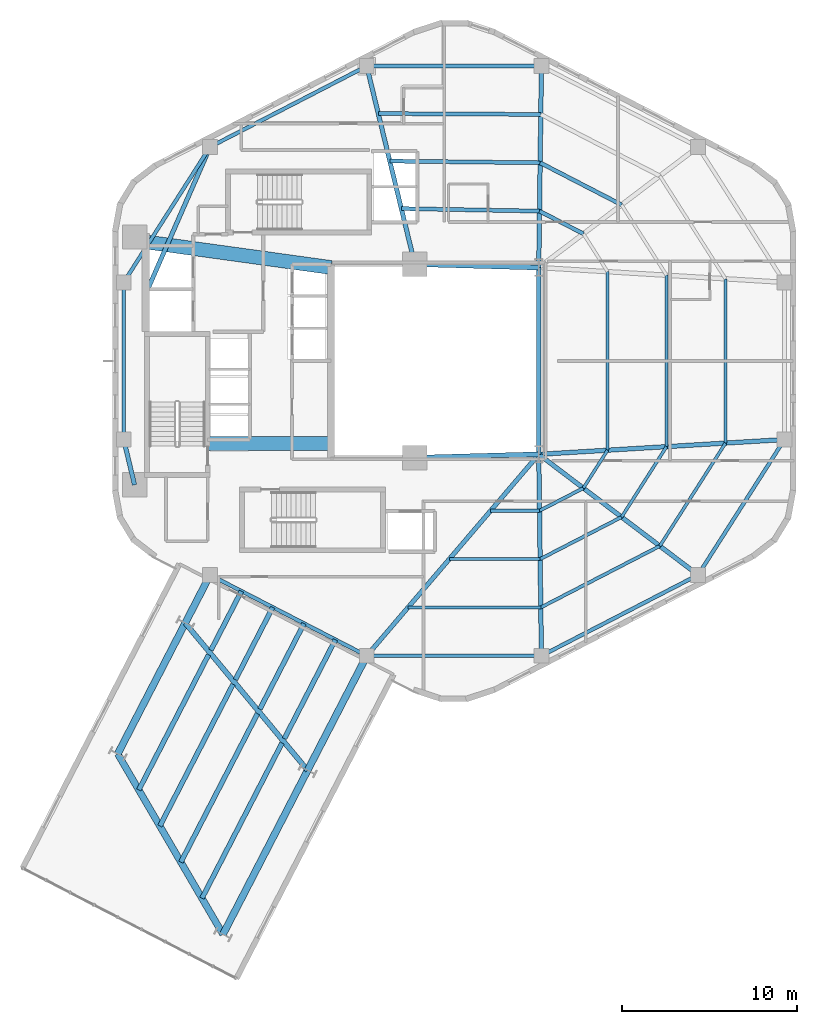
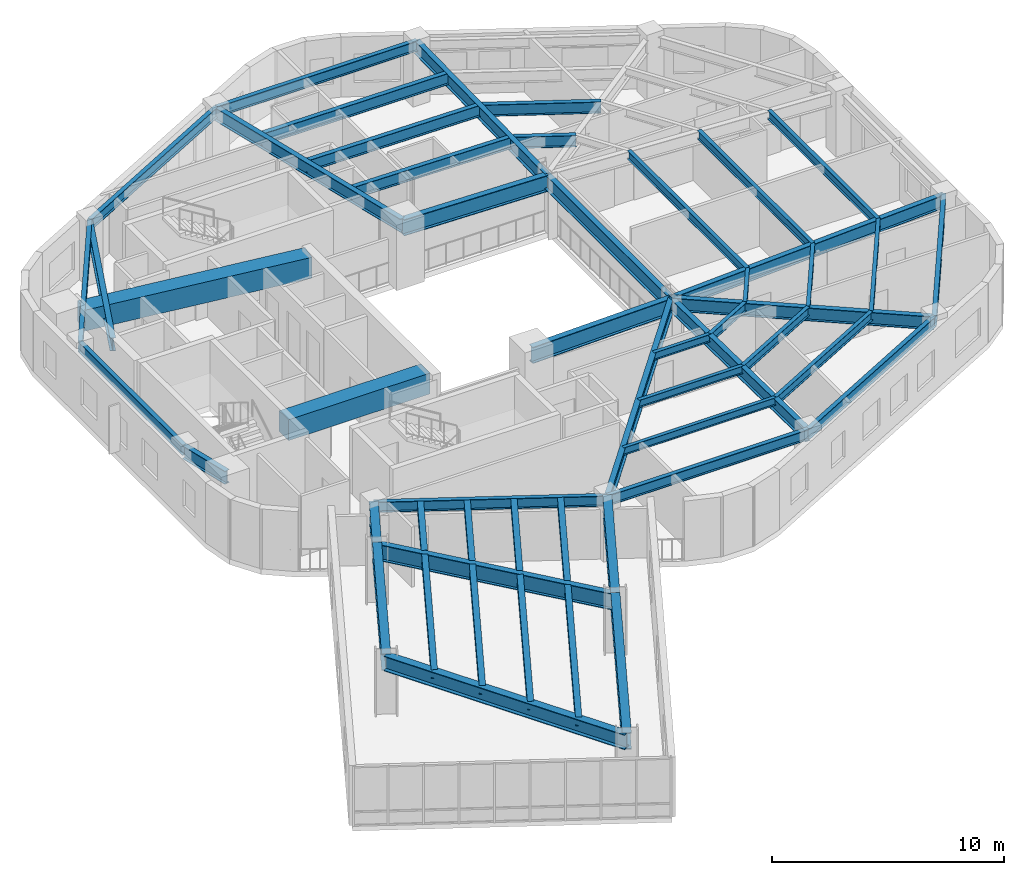
# One storey, part 3 of 9: 52 beams.
"""IFC4 building model written with IfcOpenShell, lengths in metres."""

from ifc_helpers import new_model, si_unit, direction, frame, origin, origin_2d, place, context, subcontext, project, spatial, rectangle, i_section, extrude, material, material_profile, profile_set, type_object, element, save


model = new_model("IFC4")

# Units and contexts
model_context = context("Model", 3, precision=1e-05, world=origin(), true_north=direction((0.0, 1.0)))
body_context = subcontext(model_context, "Body", "Model", "MODEL_VIEW")
ifc_project = project(units=[si_unit("LENGTHUNIT", "METRE"), si_unit("AREAUNIT", "SQUARE_METRE"), si_unit("VOLUMEUNIT", "CUBIC_METRE"), si_unit("PLANEANGLEUNIT", "RADIAN"), si_unit("MASSUNIT", "GRAM", prefix="KILO"), si_unit("THERMODYNAMICTEMPERATUREUNIT", "KELVIN"), si_unit("POWERUNIT", "WATT")], contexts=[model_context])

# Site, building, storey
site_placement = place(None, origin())
site = spatial("IfcSite", under=ifc_project, at=site_placement, CompositionType="ELEMENT")
building_placement = place(site_placement, origin())
building = spatial("IfcBuilding", under=site, at=building_placement, Name="Skarre Station Tower", CompositionType="ELEMENT")
storey_placement = place(building_placement, frame((0.0, 0.0, 177.449951171875)))
storey = spatial("IfcBuildingStorey", under=building, at=storey_placement, Name="L48", CompositionType="ELEMENT", Elevation=177.449951171875)

# Beams
ifc_material_1 = material(Name="Concrete C70/85", Category="concrete")
ifc_material_profile_1 = material_profile(ifc_material_1, rectangle(XDim=0.800048828125, YDim=1.10009765625, at=origin_2d()), Name="Concrete C70/85")
ifc_profile_set_1 = profile_set([ifc_material_profile_1], Name="Concrete C70/85")
beam_type_1 = type_object("IfcBeamType", Name="RC Core Coupling Lintel 800x1100", PredefinedType="LINTEL", material=ifc_profile_set_1)
beam_1_placement = place(storey_placement, frame((20.489990234375, 19.260009765625, 2.610107421875), z_axis=(1.0, 0.0, 0.0), x_axis=(0.0, 1.0, 0.0)))
element("IfcBeam", 1, at=beam_1_placement, inside=storey, type_object=beam_type_1, Name="L48 South Core Coupling Lintel", PredefinedType="LINTEL", context=body_context, shape_type="SweptSolid", body=[
    extrude(rectangle(XDim=0.800048828125, YDim=1.10009765625, at=origin_2d()), origin(), (0.0, 0.0, 1.0), 7.06005859375),
])
beam_2_placement = place(storey_placement, frame((17.050048828125, 30.800048828125, 2.610107421875), z_axis=(0.990599723633, -0.136792498109, 0.0), x_axis=(0.136792498109, 0.990599723633, 0.0)))
element("IfcBeam", 2, at=beam_2_placement, inside=storey, type_object=beam_type_1, Name="L48 North Core Coupling Lintel", PredefinedType="LINTEL", context=body_context, shape_type="SweptSolid", body=[
    extrude(rectangle(XDim=0.800048828125, YDim=1.10009765625, at=origin_2d()), origin(), (0.0, 0.0, 1.0), 10.599609375),
])
ifc_material_2 = material(Name="Steel ASTM A992 Grade 50", Category="steel")
ifc_material_profile_2 = material_profile(ifc_material_2, i_section(OverallWidth=0.256103515625, OverallDepth=0.693115234375, WebThickness=0.013916015625, FlangeThickness=0.02392578125, at=origin_2d()), Name="Steel ASTM A992 Grade 50")
ifc_profile_set_2 = profile_set([ifc_material_profile_2], Name="Steel ASTM A992 Grade 50")
beam_type_2 = type_object("IfcBeamType", Name="Steel Beam W27X114", PredefinedType="BEAM", material=ifc_profile_set_2)
beam_3_placement = place(storey_placement, frame((39.449951171875, 29.35009765625, 2.81396484375), z_axis=(0.013181528887, 0.999913119874, 0.0), x_axis=(-0.999913119874, 0.013181528887, 0.0)))
element("IfcBeam", 3, at=beam_3_placement, inside=storey, type_object=beam_type_2, Name="L48 Radial Floor Girder F0C2", PredefinedType="BEAM", context=body_context, shape_type="SweptSolid", body=[
    extrude(i_section(OverallWidth=0.256103515625, OverallDepth=0.693115234375, WebThickness=0.013916015625, FlangeThickness=0.02392578125, at=origin_2d()), origin(), (0.0, 0.0, 1.0), 11.538818359375),
])
beam_4_placement = place(storey_placement, frame((32.35009765625, 29.550048828125, 2.81396484375), z_axis=(-0.235892880832, 0.971779063765, 0.0), x_axis=(-0.971779063765, -0.235892880832, 0.0)))
element("IfcBeam", 4, at=beam_4_placement, inside=storey, type_object=beam_type_2, Name="L48 Radial Floor Girder F1C1", PredefinedType="BEAM", context=body_context, shape_type="SweptSolid", body=[
    extrude(i_section(OverallWidth=0.256103515625, OverallDepth=0.693115234375, WebThickness=0.013916015625, FlangeThickness=0.02392578125, at=origin_2d()), origin(), (0.0, 0.0, 1.0), 11.667236328125),
])
beam_5_placement = place(storey_placement, frame((17.010009765625, 28.0, 2.81396484375), z_axis=(0.401144174417, 0.916014929644, 0.0), x_axis=(-0.916014929644, 0.401144174417, 0.0)))
element("IfcBeam", 5, at=beam_5_placement, inside=storey, type_object=beam_type_2, Name="L48 Radial Floor Girder F1C2", PredefinedType="BEAM", context=body_context, shape_type="SweptSolid", body=[
    extrude(i_section(OverallWidth=0.256103515625, OverallDepth=0.693115234375, WebThickness=0.013916015625, FlangeThickness=0.02392578125, at=origin_2d()), origin(), (0.0, 0.0, 1.0), 9.01416015625),
])
beam_6_placement = place(storey_placement, frame((16.300048828125, 16.89990234375, 2.81396484375), z_axis=(-0.232764815072, 0.972533053867, 0.0), x_axis=(-0.972533053867, -0.232764815072, 0.0)))
element("IfcBeam", 6, at=beam_6_placement, inside=storey, type_object=beam_type_2, Name="L48 Radial Floor Girder F2C2", PredefinedType="BEAM", context=body_context, shape_type="SweptSolid", body=[
    extrude(i_section(OverallWidth=0.256103515625, OverallDepth=0.693115234375, WebThickness=0.013916015625, FlangeThickness=0.02392578125, at=origin_2d()), origin(), (0.0, 0.0, 1.0), 2.672607421875),
])
beam_7_placement = place(storey_placement, frame((39.449951171875, 18.64990234375, 2.81396484375), z_axis=(-0.649364312169, -0.760477475065, 0.0), x_axis=(0.760477475065, -0.649364312169, 0.0)))
element("IfcBeam", 7, at=beam_7_placement, inside=storey, type_object=beam_type_2, Name="L48 Radial Floor Girder F3C2", PredefinedType="BEAM", context=body_context, shape_type="SweptSolid", body=[
    extrude(i_section(OverallWidth=0.256103515625, OverallDepth=0.693115234375, WebThickness=0.013916015625, FlangeThickness=0.02392578125, at=origin_2d()), origin(), (0.0, 0.0, 1.0), 15.171875),
])
beam_8_placement = place(storey_placement, frame((39.449951171875, 18.64990234375, 2.81396484375), z_axis=(0.013181528887, -0.999913119874, 0.0), x_axis=(0.999913119874, 0.013181528887, 0.0)))
element("IfcBeam", 8, at=beam_8_placement, inside=storey, type_object=beam_type_2, Name="L48 Radial Floor Girder F4C1", PredefinedType="BEAM", context=body_context, shape_type="SweptSolid", body=[
    extrude(i_section(OverallWidth=0.256103515625, OverallDepth=0.693115234375, WebThickness=0.013916015625, FlangeThickness=0.02392578125, at=origin_2d()), origin(), (0.0, 0.0, 1.0), 11.538818359375),
])
beam_9_placement = place(storey_placement, frame((39.449951171875, 18.64990234375, 2.81396484375), z_axis=(0.797308988117, -0.603571352425, 0.0), x_axis=(0.603571352425, 0.797308988117, 0.0)))
element("IfcBeam", 9, at=beam_9_placement, inside=storey, type_object=beam_type_2, Name="L48 Radial Floor Girder F4C2", PredefinedType="BEAM", context=body_context, shape_type="SweptSolid", body=[
    extrude(i_section(OverallWidth=0.256103515625, OverallDepth=0.693115234375, WebThickness=0.013916015625, FlangeThickness=0.02392578125, at=origin_2d()), origin(), (0.0, 0.0, 1.0), 11.443603515625),
])
beam_10_placement = place(storey_placement, frame((39.449951171875, 18.64990234375, 2.81396484375), z_axis=(0.998184432941, 0.060231535207, 0.0), x_axis=(-0.060231535207, 0.998184432941, 0.0)))
element("IfcBeam", 10, at=beam_10_placement, inside=storey, type_object=beam_type_2, Name="L48 Radial Floor Girder F5C1", PredefinedType="BEAM", context=body_context, shape_type="SweptSolid", body=[
    extrude(i_section(OverallWidth=0.256103515625, OverallDepth=0.693115234375, WebThickness=0.013916015625, FlangeThickness=0.02392578125, at=origin_2d()), origin(), (0.0, 0.0, 1.0), 14.09765625),
])
ifc_material_profile_3 = material_profile(ifc_material_2, i_section(OverallWidth=0.26806640625, OverallDepth=0.77001953125, WebThickness=0.01611328125, FlangeThickness=0.02490234375, at=origin_2d()), Name="Steel ASTM A992 Grade 50")
ifc_profile_set_3 = profile_set([ifc_material_profile_3], Name="Steel ASTM A992 Grade 50")
beam_type_3 = type_object("IfcBeamType", Name="Steel Beam W30X132", PredefinedType="BEAM", material=ifc_profile_set_3)
beam_11_placement = place(storey_placement, frame((39.449951171875, 18.64990234375, 2.775146484375), z_axis=(0.0, 1.0, 0.0), x_axis=(-1.0, 0.0, 0.0)))
element("IfcBeam", 11, at=beam_11_placement, inside=storey, type_object=beam_type_3, Name="L48 Atrium East Edge Girder", PredefinedType="BEAM", context=body_context, shape_type="SweptSolid", body=[
    extrude(i_section(OverallWidth=0.26806640625, OverallDepth=0.77001953125, WebThickness=0.01611328125, FlangeThickness=0.02490234375, at=origin_2d()), origin(), (0.0, 0.0, 1.0), 10.7001953125),
])
ifc_material_profile_4 = material_profile(ifc_material_2, i_section(OverallWidth=0.2919921875, OverallDepth=0.85888671875, WebThickness=0.01708984375, FlangeThickness=0.031005859375, at=origin_2d()), Name="Steel ASTM A992 Grade 50")
ifc_profile_set_4 = profile_set([ifc_material_profile_4], Name="Steel ASTM A992 Grade 50")
beam_type_4 = type_object("IfcBeamType", Name="Steel Beam W33X169", PredefinedType="BEAM", material=ifc_profile_set_4)
for number, where, z_axis, x_axis, name in (
    (12, (32.35009765625, 18.449951171875, 2.73095703125), (0.999603666405, 0.028151556095, 0.0), (-0.028151556095, 0.999603666405, 0.0), "L48 Atrium South Edge Girder"),
    (13, (32.35009765625, 29.550048828125, 2.73095703125), (0.999603666405, -0.028151556095, 0.0), (0.028151556095, 0.999603666405, 0.0), "L48 Atrium North Edge Girder"),
):
    element("IfcBeam", number, at=place(storey_placement, frame(where, z_axis=z_axis, x_axis=x_axis)), inside=storey, type_object=beam_type_4, Name=name, PredefinedType="BEAM", context=body_context, shape_type="SweptSolid", body=[
        extrude(i_section(OverallWidth=0.2919921875, OverallDepth=0.85888671875, WebThickness=0.01708984375, FlangeThickness=0.031005859375, at=origin_2d()), origin(), (0.0, 0.0, 1.0), 7.102783203125),
    ])
beam_12_placement = place(storey_placement, frame((19.2041015625, 8.988037109375, 2.73095703125), z_axis=(0.639128306771, -0.769100128386, 0.0), x_axis=(0.769100128386, 0.639128306771, 0.0)))
element("IfcBeam", 14, at=beam_12_placement, inside=storey, type_object=beam_type_4, Name="L48 SB-4 Mid Transverse Girder", PredefinedType="BEAM", context=body_context, shape_type="SweptSolid", body=[
    extrude(i_section(OverallWidth=0.2919921875, OverallDepth=0.85888671875, WebThickness=0.01708984375, FlangeThickness=0.031005859375, at=origin_2d()), origin(), (0.0, 0.0, 1.0), 10.966064453125),
])
ifc_material_profile_5 = material_profile(ifc_material_2, i_section(OverallWidth=0.40087890625, OverallDepth=0.876953125, WebThickness=0.02197265625, FlangeThickness=0.0400390625, at=origin_2d()), Name="Steel ASTM A992 Grade 50")
ifc_profile_set_5 = profile_set([ifc_material_profile_5], Name="Steel ASTM A992 Grade 50")
beam_type_5 = type_object("IfcBeamType", Name="Steel Beam W33X263", PredefinedType="BEAM", material=ifc_profile_set_5)
beam_13_placement = place(storey_placement, frame((20.6259765625, 11.742919921875, 2.72216796875), z_axis=(-0.45864291977, -0.888620657055, 0.0), x_axis=(0.888620657055, -0.45864291977, 0.0)))
element("IfcBeam", 15, at=beam_13_placement, inside=storey, type_object=beam_type_5, Name="L48 SB-4 Side 1 Inner Girder", PredefinedType="BEAM", context=body_context, shape_type="SweptSolid", body=[
    extrude(i_section(OverallWidth=0.40087890625, OverallDepth=0.876953125, WebThickness=0.02197265625, FlangeThickness=0.0400390625, at=origin_2d()), origin(), (0.0, 0.0, 1.0), 3.10009765625),
])
beam_14_placement = place(storey_placement, frame((19.2041015625, 8.988037109375, 2.72216796875), z_axis=(-0.4586340671, -0.888625226119, 0.0), x_axis=(0.888625226119, -0.4586340671, 0.0)))
element("IfcBeam", 16, at=beam_14_placement, inside=storey, type_object=beam_type_5, Name="L48 SB-4 Side 1 Outer Girder", PredefinedType="BEAM", context=body_context, shape_type="SweptSolid", body=[
    extrude(i_section(OverallWidth=0.40087890625, OverallDepth=0.876953125, WebThickness=0.02197265625, FlangeThickness=0.0400390625, at=origin_2d()), origin(), (0.0, 0.0, 1.0), 8.429931640625),
])
beam_15_placement = place(storey_placement, frame((29.597900390625, 7.112060546875, 2.72216796875), z_axis=(-0.45866230048, -0.88861065384, 0.0), x_axis=(0.88861065384, -0.45866230048, 0.0)))
element("IfcBeam", 17, at=beam_15_placement, inside=storey, type_object=beam_type_5, Name="L48 SB-4 Side 2 Inner Girder", PredefinedType="BEAM", context=body_context, shape_type="SweptSolid", body=[
    extrude(i_section(OverallWidth=0.40087890625, OverallDepth=0.876953125, WebThickness=0.02197265625, FlangeThickness=0.0400390625, at=origin_2d()), origin(), (0.0, 0.0, 1.0), 7.380126953125),
])
beam_16_placement = place(storey_placement, frame((26.212890625, 0.553955078125, 2.72216796875), z_axis=(-0.458632918092, -0.88862581914, 0.0), x_axis=(0.88862581914, -0.458632918092, 0.0)))
element("IfcBeam", 18, at=beam_16_placement, inside=storey, type_object=beam_type_5, Name="L48 SB-4 Side 2 Outer Girder", PredefinedType="BEAM", context=body_context, shape_type="SweptSolid", body=[
    extrude(i_section(OverallWidth=0.40087890625, OverallDepth=0.876953125, WebThickness=0.02197265625, FlangeThickness=0.0400390625, at=origin_2d()), origin(), (0.0, 0.0, 1.0), 10.5703125),
])
ifc_material_profile_6 = material_profile(ifc_material_2, i_section(OverallWidth=0.177978515625, OverallDepth=0.403076171875, WebThickness=0.008056640625, FlangeThickness=0.010986328125, at=origin_2d()), Name="Steel ASTM A992 Grade 50")
ifc_profile_set_6 = profile_set([ifc_material_profile_6], Name="Steel ASTM A992 Grade 50")
beam_type_6 = type_object("IfcBeamType", Name="Steel Joist W16X36", PredefinedType="JOIST", material=ifc_profile_set_6)
beam_17_placement = place(storey_placement, frame((36.69091796875, 15.4189453125, 2.958984375), z_axis=(1.0, 0.0, 0.0), x_axis=(0.0, 1.0, 0.0)))
element("IfcBeam", 19, at=beam_17_placement, inside=storey, type_object=beam_type_6, Name="L48 Auxiliary Composite Joist 10", PredefinedType="JOIST", context=body_context, shape_type="SweptSolid", body=[
    extrude(i_section(OverallWidth=0.177978515625, OverallDepth=0.403076171875, WebThickness=0.008056640625, FlangeThickness=0.010986328125, at=origin_2d()), origin(), (0.0, 0.0, 1.0), 2.802001953125),
])
beam_18_placement = place(storey_placement, frame((34.326904296875, 12.64990234375, 2.958984375), z_axis=(1.0, 0.0, 0.0), x_axis=(0.0, 1.0, 0.0)))
element("IfcBeam", 20, at=beam_18_placement, inside=storey, type_object=beam_type_6, Name="L48 Auxiliary Composite Joist 11", PredefinedType="JOIST", context=body_context, shape_type="SweptSolid", body=[
    extrude(i_section(OverallWidth=0.177978515625, OverallDepth=0.403076171875, WebThickness=0.008056640625, FlangeThickness=0.010986328125, at=origin_2d()), origin(), (0.0, 0.0, 1.0), 5.2021484375),
])
beam_19_placement = place(storey_placement, frame((31.9619140625, 9.881103515625, 2.958984375), z_axis=(1.0, 0.0, 0.0), x_axis=(0.0, 1.0, 0.0)))
element("IfcBeam", 21, at=beam_19_placement, inside=storey, type_object=beam_type_6, Name="L48 Auxiliary Composite Joist 12", PredefinedType="JOIST", context=body_context, shape_type="SweptSolid", body=[
    extrude(i_section(OverallWidth=0.177978515625, OverallDepth=0.403076171875, WebThickness=0.008056640625, FlangeThickness=0.010986328125, at=origin_2d()), origin(), (0.0, 0.0, 1.0), 7.60400390625),
])
beam_20_placement = place(storey_placement, frame((42.0048828125, 16.716064453125, 2.958984375), z_axis=(0.537678636248, 0.843149858639, 0.0), x_axis=(-0.843149858639, 0.537678636248, 0.0)))
element("IfcBeam", 22, at=beam_20_placement, inside=storey, type_object=beam_type_6, Name="L48 Auxiliary Composite Joist 16", PredefinedType="JOIST", context=body_context, shape_type="SweptSolid", body=[
    extrude(i_section(OverallWidth=0.177978515625, OverallDepth=0.403076171875, WebThickness=0.008056640625, FlangeThickness=0.010986328125, at=origin_2d()), origin(), (0.0, 0.0, 1.0), 2.575927734375),
])
beam_21_placement = place(storey_placement, frame((44.194091796875, 15.05810546875, 2.958984375), z_axis=(0.53785259263, 0.843038901001, 0.0), x_axis=(-0.843038901001, 0.53785259263, 0.0)))
element("IfcBeam", 23, at=beam_21_placement, inside=storey, type_object=beam_type_6, Name="L48 Auxiliary Composite Joist 17", PredefinedType="JOIST", context=body_context, shape_type="SweptSolid", body=[
    extrude(i_section(OverallWidth=0.177978515625, OverallDepth=0.403076171875, WebThickness=0.008056640625, FlangeThickness=0.010986328125, at=origin_2d()), origin(), (0.0, 0.0, 1.0), 4.783935546875),
])
beam_22_placement = place(storey_placement, frame((46.384033203125, 13.40087890625, 2.958984375), z_axis=(0.537916675884, 0.842998012931, 0.0), x_axis=(-0.842998012931, 0.537916675884, 0.0)))
element("IfcBeam", 24, at=beam_22_placement, inside=storey, type_object=beam_type_6, Name="L48 Auxiliary Composite Joist 18", PredefinedType="JOIST", context=body_context, shape_type="SweptSolid", body=[
    extrude(i_section(OverallWidth=0.177978515625, OverallDepth=0.403076171875, WebThickness=0.008056640625, FlangeThickness=0.010986328125, at=origin_2d()), origin(), (0.0, 0.0, 1.0), 6.99169921875),
])
ifc_material_profile_7 = material_profile(ifc_material_2, i_section(OverallWidth=0.19091796875, OverallDepth=0.45703125, WebThickness=0.009033203125, FlangeThickness=0.013916015625, at=origin_2d()), Name="Steel ASTM A992 Grade 50")
ifc_profile_set_7 = profile_set([ifc_material_profile_7], Name="Steel ASTM A992 Grade 50")
beam_type_7 = type_object("IfcBeamType", Name="Steel Joist W18X50", PredefinedType="JOIST", material=ifc_profile_set_7)
beam_23_placement = place(storey_placement, frame((39.492919921875, 15.4189453125, 2.93212890625), z_axis=(0.888530947613, 0.458816690122, 0.0), x_axis=(-0.458816690122, 0.888530947613, 0.0)))
element("IfcBeam", 25, at=beam_23_placement, inside=storey, type_object=beam_type_7, Name="L48 Auxiliary Composite Joist 13", PredefinedType="JOIST", context=body_context, shape_type="SweptSolid", body=[
    extrude(i_section(OverallWidth=0.19091796875, OverallDepth=0.45703125, WebThickness=0.009033203125, FlangeThickness=0.013916015625, at=origin_2d()), origin(), (0.0, 0.0, 1.0), 2.8271484375),
])
beam_24_placement = place(storey_placement, frame((39.529052734375, 12.64990234375, 2.93212890625), z_axis=(0.888586417093, 0.458709253622, 0.0), x_axis=(-0.458709253622, 0.888586417093, 0.0)))
element("IfcBeam", 26, at=beam_24_placement, inside=storey, type_object=beam_type_7, Name="L48 Auxiliary Composite Joist 14", PredefinedType="JOIST", context=body_context, shape_type="SweptSolid", body=[
    extrude(i_section(OverallWidth=0.19091796875, OverallDepth=0.45703125, WebThickness=0.009033203125, FlangeThickness=0.013916015625, at=origin_2d()), origin(), (0.0, 0.0, 1.0), 5.25),
])
beam_25_placement = place(storey_placement, frame((39.56591796875, 9.881103515625, 2.93212890625), z_axis=(0.888580913917, 0.458719913916, 0.0), x_axis=(-0.458719913916, 0.888580913917, 0.0)))
element("IfcBeam", 27, at=beam_25_placement, inside=storey, type_object=beam_type_7, Name="L48 Auxiliary Composite Joist 15", PredefinedType="JOIST", context=body_context, shape_type="SweptSolid", body=[
    extrude(i_section(OverallWidth=0.19091796875, OverallDepth=0.45703125, WebThickness=0.009033203125, FlangeThickness=0.013916015625, at=origin_2d()), origin(), (0.0, 0.0, 1.0), 7.673095703125),
])
beam_26_placement = place(storey_placement, frame((43.389892578125, 18.887939453125, 2.93212890625), z_axis=(0.0, 1.0, 0.0), x_axis=(-1.0, 0.0, 0.0)))
element("IfcBeam", 28, at=beam_26_placement, inside=storey, type_object=beam_type_7, Name="L48 Auxiliary Composite Joist 19", PredefinedType="JOIST", context=body_context, shape_type="SweptSolid", body=[
    extrude(i_section(OverallWidth=0.19091796875, OverallDepth=0.45703125, WebThickness=0.009033203125, FlangeThickness=0.013916015625, at=origin_2d()), origin(), (0.0, 0.0, 1.0), 10.22412109375),
])
beam_27_placement = place(storey_placement, frame((46.76708984375, 19.091064453125, 2.93212890625), z_axis=(0.0, 1.0, 0.0), x_axis=(-1.0, 0.0, 0.0)))
element("IfcBeam", 29, at=beam_27_placement, inside=storey, type_object=beam_type_7, Name="L48 Auxiliary Composite Joist 20", PredefinedType="JOIST", context=body_context, shape_type="SweptSolid", body=[
    extrude(i_section(OverallWidth=0.19091796875, OverallDepth=0.45703125, WebThickness=0.009033203125, FlangeThickness=0.013916015625, at=origin_2d()), origin(), (0.0, 0.0, 1.0), 9.81787109375),
])
beam_28_placement = place(storey_placement, frame((50.14501953125, 19.294921875, 2.93212890625), z_axis=(0.0, 1.0, 0.0), x_axis=(-1.0, 0.0, 0.0)))
element("IfcBeam", 30, at=beam_28_placement, inside=storey, type_object=beam_type_7, Name="L48 Auxiliary Composite Joist 21", PredefinedType="JOIST", context=body_context, shape_type="SweptSolid", body=[
    extrude(i_section(OverallWidth=0.19091796875, OverallDepth=0.45703125, WebThickness=0.009033203125, FlangeThickness=0.013916015625, at=origin_2d()), origin(), (0.0, 0.0, 1.0), 9.41015625),
])
ifc_material_profile_8 = material_profile(ifc_material_2, i_section(OverallWidth=0.280029296875, OverallDepth=0.462890625, WebThickness=0.010986328125, FlangeThickness=0.01708984375, at=origin_2d()), Name="Steel ASTM A992 Grade 50")
ifc_profile_set_8 = profile_set([ifc_material_profile_8], Name="Steel ASTM A992 Grade 50")
beam_type_8 = type_object("IfcBeamType", Name="Steel Joist W18X76", PredefinedType="JOIST", material=ifc_profile_set_8)
beam_29_placement = place(storey_placement, frame((22.419921875, 10.81689453125, 2.928955078125), z_axis=(-0.45847488749, -0.888707363276, 0.0), x_axis=(0.888707363276, -0.45847488749, 0.0)))
element("IfcBeam", 31, at=beam_29_placement, inside=storey, type_object=beam_type_8, Name="L48 SB-4 Inner Deck Joist 1", PredefinedType="JOIST", context=body_context, shape_type="SweptSolid", body=[
    extrude(i_section(OverallWidth=0.280029296875, OverallDepth=0.462890625, WebThickness=0.010986328125, FlangeThickness=0.01708984375, at=origin_2d()), origin(), (0.0, 0.0, 1.0), 3.812255859375),
])
beam_30_placement = place(storey_placement, frame((20.5400390625, 7.173095703125, 2.928955078125), z_axis=(-0.458697157585, -0.888592661248, 0.0), x_axis=(0.888592661248, -0.458697157585, 0.0)))
element("IfcBeam", 32, at=beam_30_placement, inside=storey, type_object=beam_type_8, Name="L48 SB-4 Outer Deck Joist 1", PredefinedType="JOIST", context=body_context, shape_type="SweptSolid", body=[
    extrude(i_section(OverallWidth=0.280029296875, OverallDepth=0.462890625, WebThickness=0.010986328125, FlangeThickness=0.01708984375, at=origin_2d()), origin(), (0.0, 0.0, 1.0), 8.7138671875),
])
beam_31_placement = place(storey_placement, frame((24.215087890625, 9.89111328125, 2.928955078125), z_axis=(-0.458576321714, -0.888655027085, 0.0), x_axis=(0.888655027085, -0.458576321714, 0.0)))
element("IfcBeam", 33, at=beam_31_placement, inside=storey, type_object=beam_type_8, Name="L48 SB-4 Inner Deck Joist 2", PredefinedType="JOIST", context=body_context, shape_type="SweptSolid", body=[
    extrude(i_section(OverallWidth=0.280029296875, OverallDepth=0.462890625, WebThickness=0.010986328125, FlangeThickness=0.01708984375, at=origin_2d()), origin(), (0.0, 0.0, 1.0), 4.6689453125),
])
beam_32_placement = place(storey_placement, frame((21.94189453125, 5.486083984375, 2.928955078125), z_axis=(-0.458671492195, -0.888605909415, 0.0), x_axis=(0.888605909415, -0.458671492195, 0.0)))
element("IfcBeam", 34, at=beam_32_placement, inside=storey, type_object=beam_type_8, Name="L48 SB-4 Outer Deck Joist 2", PredefinedType="JOIST", context=body_context, shape_type="SweptSolid", body=[
    extrude(i_section(OverallWidth=0.280029296875, OverallDepth=0.462890625, WebThickness=0.010986328125, FlangeThickness=0.01708984375, at=origin_2d()), origin(), (0.0, 0.0, 1.0), 9.141357421875),
])
beam_33_placement = place(storey_placement, frame((26.009033203125, 8.964111328125, 2.928955078125), z_axis=(-0.458738614442, -0.888571259731, 0.0), x_axis=(0.888571259731, -0.458738614442, 0.0)))
element("IfcBeam", 35, at=beam_33_placement, inside=storey, type_object=beam_type_8, Name="L48 SB-4 Inner Deck Joist 3", PredefinedType="JOIST", context=body_context, shape_type="SweptSolid", body=[
    extrude(i_section(OverallWidth=0.280029296875, OverallDepth=0.462890625, WebThickness=0.010986328125, FlangeThickness=0.01708984375, at=origin_2d()), origin(), (0.0, 0.0, 1.0), 5.523681640625),
])
beam_34_placement = place(storey_placement, frame((23.343017578125, 3.800048828125, 2.928955078125), z_axis=(-0.458574691889, -0.888655868128, 0.0), x_axis=(0.888655868128, -0.458574691889, 0.0)))
element("IfcBeam", 36, at=beam_34_placement, inside=storey, type_object=beam_type_8, Name="L48 SB-4 Outer Deck Joist 3", PredefinedType="JOIST", context=body_context, shape_type="SweptSolid", body=[
    extrude(i_section(OverallWidth=0.280029296875, OverallDepth=0.462890625, WebThickness=0.010986328125, FlangeThickness=0.01708984375, at=origin_2d()), origin(), (0.0, 0.0, 1.0), 9.57080078125),
])
beam_35_placement = place(storey_placement, frame((27.803955078125, 8.0380859375, 2.928955078125), z_axis=(-0.458762805184, -0.88855877047, 0.0), x_axis=(0.88855877047, -0.458762805184, 0.0)))
element("IfcBeam", 37, at=beam_35_placement, inside=storey, type_object=beam_type_8, Name="L48 SB-4 Inner Deck Joist 4", PredefinedType="JOIST", context=body_context, shape_type="SweptSolid", body=[
    extrude(i_section(OverallWidth=0.280029296875, OverallDepth=0.462890625, WebThickness=0.010986328125, FlangeThickness=0.01708984375, at=origin_2d()), origin(), (0.0, 0.0, 1.0), 6.380126953125),
])
beam_36_placement = place(storey_placement, frame((24.7451171875, 2.113037109375, 2.928955078125), z_axis=(-0.458595026057, -0.888645374756, 0.0), x_axis=(0.888645374756, -0.458595026057, 0.0)))
element("IfcBeam", 38, at=beam_36_placement, inside=storey, type_object=beam_type_8, Name="L48 SB-4 Outer Deck Joist 4", PredefinedType="JOIST", context=body_context, shape_type="SweptSolid", body=[
    extrude(i_section(OverallWidth=0.280029296875, OverallDepth=0.462890625, WebThickness=0.010986328125, FlangeThickness=0.01708984375, at=origin_2d()), origin(), (0.0, 0.0, 1.0), 9.998291015625),
])
ifc_material_profile_9 = material_profile(ifc_material_2, i_section(OverallWidth=0.22802734375, OverallDepth=0.60791015625, WebThickness=0.010986328125, FlangeThickness=0.01708984375, at=origin_2d()), Name="Steel ASTM A992 Grade 50")
ifc_profile_set_9 = profile_set([ifc_material_profile_9], Name="Steel ASTM A992 Grade 50")
beam_type_9 = type_object("IfcBeamType", Name="Steel Joist W24X76", PredefinedType="JOIST", material=ifc_profile_set_9)
beam_37_placement = place(storey_placement, frame((42.0048828125, 31.283935546875, 2.85595703125), z_axis=(-0.888530947613, 0.458816690122, 0.0), x_axis=(-0.458816690122, -0.888530947613, 0.0)))
element("IfcBeam", 39, at=beam_37_placement, inside=storey, type_object=beam_type_9, Name="L48 Secondary Floor Joist 1", PredefinedType="JOIST", context=body_context, shape_type="SweptSolid", body=[
    extrude(i_section(OverallWidth=0.22802734375, OverallDepth=0.60791015625, WebThickness=0.010986328125, FlangeThickness=0.01708984375, at=origin_2d()), origin(), (0.0, 0.0, 1.0), 2.8271484375),
])
beam_38_placement = place(storey_placement, frame((44.194091796875, 32.94189453125, 2.85595703125), z_axis=(-0.888586417093, 0.458709253622, 0.0), x_axis=(-0.458709253622, -0.888586417093, 0.0)))
element("IfcBeam", 40, at=beam_38_placement, inside=storey, type_object=beam_type_9, Name="L48 Secondary Floor Joist 2", PredefinedType="JOIST", context=body_context, shape_type="SweptSolid", body=[
    extrude(i_section(OverallWidth=0.22802734375, OverallDepth=0.60791015625, WebThickness=0.010986328125, FlangeThickness=0.01708984375, at=origin_2d()), origin(), (0.0, 0.0, 1.0), 5.25),
])
beam_39_placement = place(storey_placement, frame((39.492919921875, 32.5810546875, 2.85595703125), z_axis=(-0.999834394757, 0.01819843569, 0.0), x_axis=(-0.01819843569, -0.999834394757, 0.0)))
element("IfcBeam", 41, at=beam_39_placement, inside=storey, type_object=beam_type_9, Name="L48 Secondary Floor Joist 4", PredefinedType="JOIST", context=body_context, shape_type="SweptSolid", body=[
    extrude(i_section(OverallWidth=0.22802734375, OverallDepth=0.60791015625, WebThickness=0.010986328125, FlangeThickness=0.01708984375, at=origin_2d()), origin(), (0.0, 0.0, 1.0), 7.9150390625),
])
beam_40_placement = place(storey_placement, frame((39.529052734375, 35.35009765625, 2.85595703125), z_axis=(-0.999937916295, 0.011142870137, 0.0), x_axis=(-0.011142870137, -0.999937916295, 0.0)))
element("IfcBeam", 42, at=beam_40_placement, inside=storey, type_object=beam_type_9, Name="L48 Secondary Floor Joist 5", PredefinedType="JOIST", context=body_context, shape_type="SweptSolid", body=[
    extrude(i_section(OverallWidth=0.22802734375, OverallDepth=0.60791015625, WebThickness=0.010986328125, FlangeThickness=0.01708984375, at=origin_2d()), origin(), (0.0, 0.0, 1.0), 8.610595703125),
])
beam_41_placement = place(storey_placement, frame((39.56591796875, 38.118896484375, 2.85595703125), z_axis=(-0.999986650222, 0.005167144134, 0.0), x_axis=(-0.005167144134, -0.999986650222, 0.0)))
element("IfcBeam", 43, at=beam_41_placement, inside=storey, type_object=beam_type_9, Name="L48 Secondary Floor Joist 6", PredefinedType="JOIST", context=body_context, shape_type="SweptSolid", body=[
    extrude(i_section(OverallWidth=0.22802734375, OverallDepth=0.60791015625, WebThickness=0.010986328125, FlangeThickness=0.01708984375, at=origin_2d()), origin(), (0.0, 0.0, 1.0), 9.30810546875),
])
ifc_material_profile_10 = material_profile(ifc_material_2, i_section(OverallWidth=0.214111328125, OverallDepth=0.549072265625, WebThickness=0.014892578125, FlangeThickness=0.02392578125, at=origin_2d()), Name="Steel ASTM A992 Grade 50")
ifc_profile_set_10 = profile_set([ifc_material_profile_10], Name="Steel ASTM A992 Grade 50")
beam_type_10 = type_object("IfcBeamType", Name="Steel Spandrel W21X93", PredefinedType="SPANDREL", material=ifc_profile_set_10)
beam_42_placement = place(storey_placement, frame((39.60205078125, 40.887939453125, 2.885986328125), z_axis=(-1.0, 0.0, 0.0), x_axis=(0.0, -1.0, 0.0)))
element("IfcBeam", 44, at=beam_42_placement, inside=storey, type_object=beam_type_10, Name="L48 Facet Spandrel Beam 2", PredefinedType="SPANDREL", context=body_context, shape_type="SweptSolid", body=[
    extrude(i_section(OverallWidth=0.214111328125, OverallDepth=0.549072265625, WebThickness=0.014892578125, FlangeThickness=0.02392578125, at=origin_2d()), origin(), (0.0, 0.0, 1.0), 10.004150390625),
])
beam_43_placement = place(storey_placement, frame((29.597900390625, 40.887939453125, 2.885986328125), z_axis=(-0.888613027226, -0.458657702262, 0.0), x_axis=(0.458657702262, -0.888613027226, 0.0)))
element("IfcBeam", 45, at=beam_43_placement, inside=storey, type_object=beam_type_10, Name="L48 Facet Spandrel Beam 3", PredefinedType="SPANDREL", context=body_context, shape_type="SweptSolid", body=[
    extrude(i_section(OverallWidth=0.214111328125, OverallDepth=0.549072265625, WebThickness=0.014892578125, FlangeThickness=0.02392578125, at=origin_2d()), origin(), (0.0, 0.0, 1.0), 10.096435546875),
])
beam_44_placement = place(storey_placement, frame((20.6259765625, 36.257080078125, 2.885986328125), z_axis=(-0.537826426158, -0.843055594445, 0.0), x_axis=(0.843055594445, -0.537826426158, 0.0)))
element("IfcBeam", 46, at=beam_44_placement, inside=storey, type_object=beam_type_10, Name="L48 Facet Spandrel Beam 4", PredefinedType="SPANDREL", context=body_context, shape_type="SweptSolid", body=[
    extrude(i_section(OverallWidth=0.214111328125, OverallDepth=0.549072265625, WebThickness=0.014892578125, FlangeThickness=0.02392578125, at=origin_2d()), origin(), (0.0, 0.0, 1.0), 9.199951171875),
])
beam_45_placement = place(storey_placement, frame((15.677978515625, 28.5009765625, 2.885986328125), z_axis=(0.0, -1.0, 0.0), x_axis=(1.0, 0.0, 0.0)))
element("IfcBeam", 47, at=beam_45_placement, inside=storey, type_object=beam_type_10, Name="L48 Facet Spandrel Beam 5", PredefinedType="SPANDREL", context=body_context, shape_type="SweptSolid", body=[
    extrude(i_section(OverallWidth=0.214111328125, OverallDepth=0.549072265625, WebThickness=0.014892578125, FlangeThickness=0.02392578125, at=origin_2d()), origin(), (0.0, 0.0, 1.0), 9.001953125),
])
beam_46_placement = place(storey_placement, frame((20.6259765625, 11.742919921875, 2.885986328125), z_axis=(0.888613027226, -0.458657702262, 0.0), x_axis=(0.458657702262, 0.888613027226, 0.0)))
element("IfcBeam", 48, at=beam_46_placement, inside=storey, type_object=beam_type_10, Name="L48 Facet Spandrel Beam 7", PredefinedType="SPANDREL", context=body_context, shape_type="SweptSolid", body=[
    extrude(i_section(OverallWidth=0.214111328125, OverallDepth=0.549072265625, WebThickness=0.014892578125, FlangeThickness=0.02392578125, at=origin_2d()), origin(), (0.0, 0.0, 1.0), 10.096435546875),
])
beam_47_placement = place(storey_placement, frame((29.597900390625, 7.112060546875, 2.885986328125), z_axis=(1.0, 0.0, 0.0), x_axis=(0.0, 1.0, 0.0)))
element("IfcBeam", 49, at=beam_47_placement, inside=storey, type_object=beam_type_10, Name="L48 Facet Spandrel Beam 8", PredefinedType="SPANDREL", context=body_context, shape_type="SweptSolid", body=[
    extrude(i_section(OverallWidth=0.214111328125, OverallDepth=0.549072265625, WebThickness=0.014892578125, FlangeThickness=0.02392578125, at=origin_2d()), origin(), (0.0, 0.0, 1.0), 10.004150390625),
])
beam_48_placement = place(storey_placement, frame((39.60205078125, 7.112060546875, 2.885986328125), z_axis=(0.888613027226, 0.458657702262, 0.0), x_axis=(-0.458657702262, 0.888613027226, 0.0)))
element("IfcBeam", 50, at=beam_48_placement, inside=storey, type_object=beam_type_10, Name="L48 Facet Spandrel Beam 9", PredefinedType="SPANDREL", context=body_context, shape_type="SweptSolid", body=[
    extrude(i_section(OverallWidth=0.214111328125, OverallDepth=0.549072265625, WebThickness=0.014892578125, FlangeThickness=0.02392578125, at=origin_2d()), origin(), (0.0, 0.0, 1.0), 10.096435546875),
])
beam_49_placement = place(storey_placement, frame((48.573974609375, 11.742919921875, 2.885986328125), z_axis=(0.537826426158, 0.843055594445, 0.0), x_axis=(-0.843055594445, 0.537826426158, 0.0)))
element("IfcBeam", 51, at=beam_49_placement, inside=storey, type_object=beam_type_10, Name="L48 Facet Spandrel Beam 10", PredefinedType="SPANDREL", context=body_context, shape_type="SweptSolid", body=[
    extrude(i_section(OverallWidth=0.214111328125, OverallDepth=0.549072265625, WebThickness=0.014892578125, FlangeThickness=0.02392578125, at=origin_2d()), origin(), (0.0, 0.0, 1.0), 9.199951171875),
])
ifc_material_profile_11 = material_profile(ifc_material_2, i_section(OverallWidth=0.384033203125, OverallDepth=0.785888671875, WebThickness=0.02001953125, FlangeThickness=0.032958984375, at=origin_2d()), Name="Steel ASTM A992 Grade 50")
ifc_profile_set_11 = profile_set([ifc_material_profile_11], Name="Steel ASTM A992 Grade 50")
beam_type_11 = type_object("IfcBeamType", Name="Steel Spandrel W30X211", PredefinedType="SPANDREL", material=ifc_profile_set_11)
beam_50_placement = place(storey_placement, frame((15.337890625, 1.4970703125, 2.76708984375), z_axis=(0.503725121099, -0.863863995299, 0.0), x_axis=(0.863863995299, 0.503725121099, 0.0)))
element("IfcBeam", 52, at=beam_50_placement, inside=storey, type_object=beam_type_11, Name="L48 SB-4 Prow Spandrel Girder", PredefinedType="SPANDREL", context=body_context, shape_type="SweptSolid", body=[
    extrude(i_section(OverallWidth=0.384033203125, OverallDepth=0.785888671875, WebThickness=0.02001953125, FlangeThickness=0.032958984375, at=origin_2d()), origin(), (0.0, 0.0, 1.0), 11.965087890625),
])

save(model, "model.ifc")
